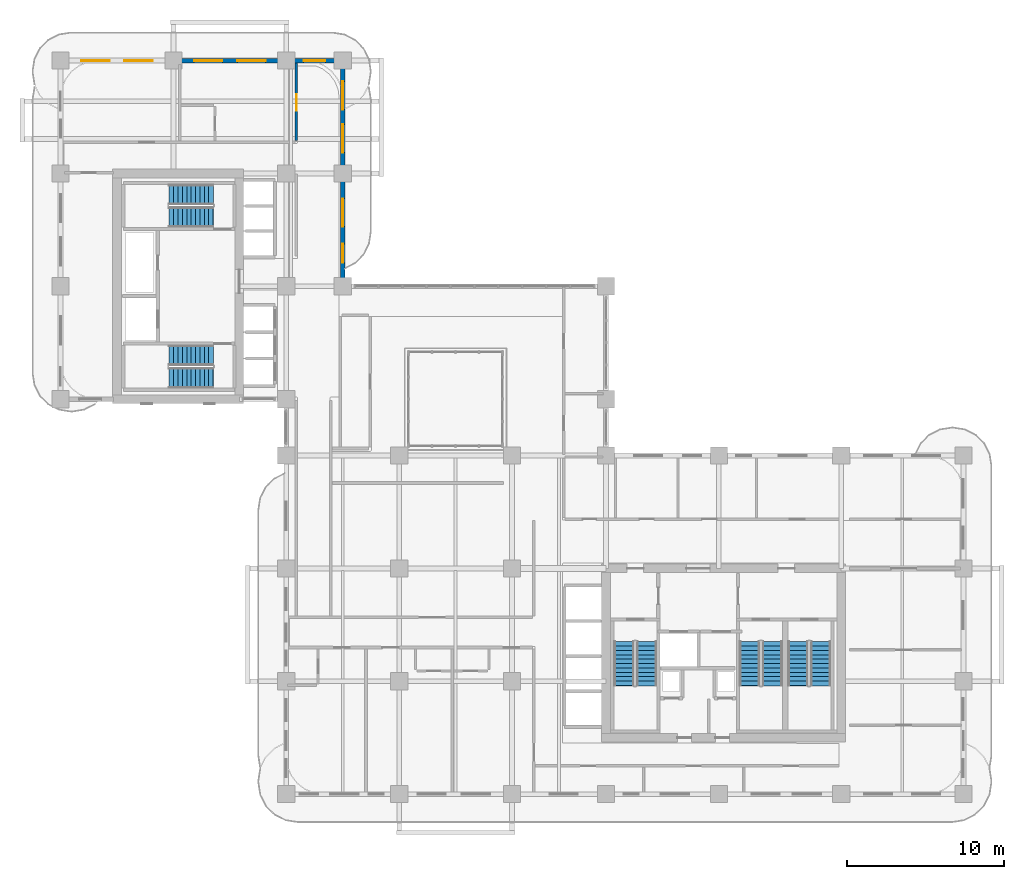
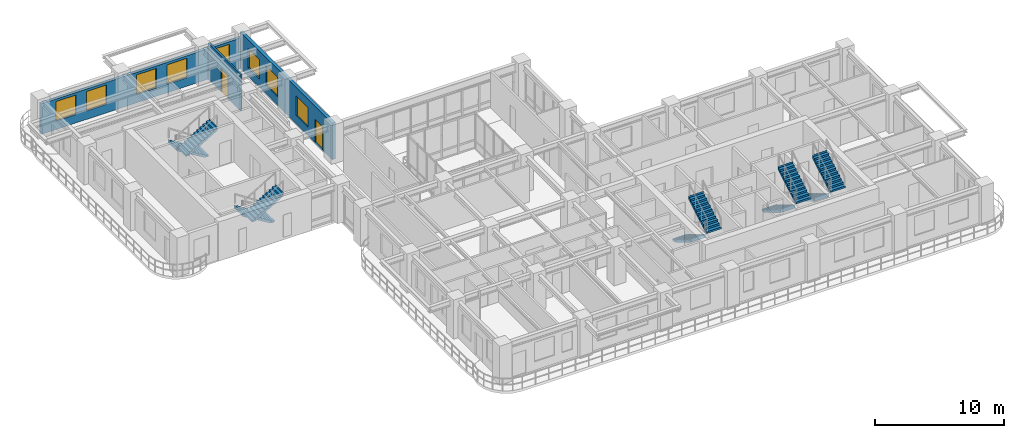
# One storey, part 17 of 22: 10 stair flights, 8 windows, 3 walls, 2 doors, 10 openings, 5 elements without a shape of their own.
"""IFC4 building model written with IfcOpenShell, lengths in metres."""

from ifc_helpers import new_model, si_unit, derived_unit, direction, frame, frame_2d, origin, place, context, subcontext, project, spatial, polyline, rectangle, outline, extrude, source, transform, mapped, material, layer, layer_set, type_object, type_shapes, element, fill, aggregate, save


model = new_model("IFC4")

# Units and contexts
model_context = context("Model", 3, precision=1e-05, world=origin(), true_north=direction((0.0, 1.0)))
body_context = subcontext(model_context, "Body", "Model", "MODEL_VIEW")
ifc_project = project(units=[si_unit("LENGTHUNIT", "METRE"), si_unit("AREAUNIT", "SQUARE_METRE"), si_unit("VOLUMEUNIT", "CUBIC_METRE"), si_unit("PLANEANGLEUNIT", "RADIAN"), si_unit("MASSUNIT", "GRAM", prefix="KILO"), si_unit("THERMODYNAMICTEMPERATUREUNIT", "KELVIN"), si_unit("POWERUNIT", "WATT"), derived_unit("THERMALTRANSMITTANCEUNIT", [(si_unit("POWERUNIT", "WATT"), 1), (si_unit("AREAUNIT", "SQUARE_METRE"), -1), (si_unit("THERMODYNAMICTEMPERATUREUNIT", "KELVIN"), -1)])], contexts=[model_context])

# Site, building, storey
site_placement = place(None, origin())
site = spatial("IfcSite", under=ifc_project, at=site_placement, CompositionType="ELEMENT")
building_placement = place(site_placement, origin())
building = spatial("IfcBuilding", under=site, at=building_placement, Name="Zahravan Archway Hotel and Residences", CompositionType="ELEMENT")
storey_placement = place(building_placement, frame((0.0, 0.0, 73.10009765625)))
storey = spatial("IfcBuildingStorey", under=building, at=storey_placement, Name="L17", CompositionType="ELEMENT", Elevation=73.10009765625)

# Wall, openings, windows
ifc_material_1 = material(Name="Honed Red-Ochre Sandstone & Insulated Block", Category="masonry")
ifc_layer_1 = layer(ifc_material_1, 0.280029296875, Name="Honed Red-Ochre Sandstone & Insulated Block", Category="masonry")
ifc_layer_set_1 = layer_set([ifc_layer_1], Name="Honed Red-Ochre Sandstone & Insulated Block")
wall_type_1 = type_object("IfcWallType", Name="EW-LOG-280", PredefinedType="SOLIDWALL", material=ifc_layer_set_1)
wall_1_placement = place(storey_placement, frame((0.0, 46.800048828125, 0.0), z_axis=(0.0, 0.0, 1.0), x_axis=(1.0, 0.0, 0.0)))
wall_1 = element("IfcWall", 1, at=wall_1_placement, inside=storey, type_object=wall_type_1, Name="L17 Exterior Sandstone Wall WB-N", PredefinedType="SOLIDWALL", context=body_context, shape_type="SweptSolid", body=[
    extrude(rectangle(XDim=18.0, YDim=0.280029296875, at=frame_2d((9.0, 0.0))), origin(), (0.0, 0.0, 1.0), 2.885009765625),
])
opening_1_placement = place(wall_1_placement, frame((1.324951171875, 0.0, 0.800048828125)))
opening_1 = element("IfcOpeningElement", 2, at=opening_1_placement, cuts=wall_1, Name="Opening W-02", PredefinedType="OPENING", context=body_context, shape_type="SweptSolid", body=[
    extrude(rectangle(XDim=1.800048828125, YDim=1.85009765625, at=frame_2d((0.89990234375, 0.925048828125))), frame((0.0, 0.14990234375, 0.0), z_axis=(0.0, -1.0, 0.0), x_axis=(1.0, 0.0, 0.0)), (0.0, 0.0, 1.0), 0.300048828125),
])
opening_2_placement = place(wall_1_placement, frame((4.074951171875, 0.0, 0.800048828125)))
opening_2 = element("IfcOpeningElement", 3, at=opening_2_placement, cuts=wall_1, Name="Opening W-02", PredefinedType="OPENING", context=body_context, shape_type="SweptSolid", body=[
    extrude(rectangle(XDim=1.800048828125, YDim=1.85009765625, at=frame_2d((0.89990234375, 0.925048828125))), frame((0.0, 0.14990234375, 0.0), z_axis=(0.0, -1.0, 0.0), x_axis=(1.0, 0.0, 0.0)), (0.0, 0.0, 1.0), 0.300048828125),
])
opening_3_placement = place(wall_1_placement, frame((8.52490234375, 0.0, 0.800048828125)))
opening_3 = element("IfcOpeningElement", 4, at=opening_3_placement, cuts=wall_1, Name="Opening W-02", PredefinedType="OPENING", context=body_context, shape_type="SweptSolid", body=[
    extrude(rectangle(XDim=1.800048828125, YDim=1.85009765625, at=frame_2d((0.89990234375, 0.925048828125))), frame((0.0, 0.14990234375, 0.0), z_axis=(0.0, -1.0, 0.0), x_axis=(1.0, 0.0, 0.0)), (0.0, 0.0, 1.0), 0.300048828125),
])
opening_4_placement = place(wall_1_placement, frame((11.27490234375, 0.0, 0.800048828125)))
opening_4 = element("IfcOpeningElement", 5, at=opening_4_placement, cuts=wall_1, Name="Opening W-02", PredefinedType="OPENING", context=body_context, shape_type="SweptSolid", body=[
    extrude(rectangle(XDim=1.800048828125, YDim=1.85009765625, at=frame_2d((0.89990234375, 0.925048828125))), frame((0.0, 0.14990234375, 0.0), z_axis=(0.0, -1.0, 0.0), x_axis=(1.0, 0.0, 0.0)), (0.0, 0.0, 1.0), 0.300048828125),
])
opening_5_placement = place(wall_1_placement, frame((15.5, 0.0, 0.800048828125)))
opening_5 = element("IfcOpeningElement", 6, at=opening_5_placement, cuts=wall_1, Name="Opening W-03", PredefinedType="OPENING", context=body_context, shape_type="SweptSolid", body=[
    extrude(rectangle(XDim=1.39990234375, YDim=1.85009765625, at=frame_2d((0.699951171875, 0.925048828125))), frame((0.0, 0.14990234375, 0.0), z_axis=(0.0, -1.0, 0.0), x_axis=(1.0, 0.0, 0.0)), (0.0, 0.0, 1.0), 0.300048828125),
])
ifc_material_2 = material(Name="Bronze-Anodized Thermal-Break Aluminium & Low-E Glass", Category="aluminium")
window_type_1 = type_object("IfcWindowType", Name="WIN-TWR-1400", PartitioningType="SINGLE_PANEL", PredefinedType="WINDOW", material=ifc_material_2)
shared_shape_1 = source(origin(), body_context, "Body", "SweptSolid", [
    extrude(rectangle(XDim=1.39990234375, YDim=1.85009765625, at=frame_2d((0.699951171875, 0.925048828125))), frame((0.0, 0.030029296875, 0.0), z_axis=(0.0, -1.0, 0.0), x_axis=(1.0, 0.0, 0.0)), (0.0, 0.0, 1.0), 0.06005859375),
])
type_shapes(window_type_1, [shared_shape_1])
window_1_placement = place(opening_5_placement, origin())
window_1 = element("IfcWindow", 7, at=window_1_placement, inside=storey, type_object=window_type_1, Name="L17 Loggia Window 38", OverallHeight=1.85009765625, OverallWidth=1.39990234375, PartitioningType="SINGLE_PANEL", PredefinedType="WINDOW", context=body_context, shape_type="MappedRepresentation", body=[
    mapped(shared_shape_1, transform((0.0, 0.0, 0.0), scale=1.0)),
])
fill(opening_5, window_1)
window_type_2 = type_object("IfcWindowType", Name="WIN-TWR-1800", PartitioningType="DOUBLE_PANEL_VERTICAL", PredefinedType="WINDOW", material=ifc_material_2)
shared_shape_2 = source(origin(), body_context, "Body", "SweptSolid", [
    extrude(rectangle(XDim=1.800048828125, YDim=1.85009765625, at=frame_2d((0.89990234375, 0.925048828125))), frame((0.0, 0.030029296875, 0.0), z_axis=(0.0, -1.0, 0.0), x_axis=(1.0, 0.0, 0.0)), (0.0, 0.0, 1.0), 0.06005859375),
])
type_shapes(window_type_2, [shared_shape_2])
window_2_placement = place(opening_1_placement, origin())
window_2 = element("IfcWindow", 8, at=window_2_placement, inside=storey, type_object=window_type_2, Name="L17 Loggia Window 34", OverallHeight=1.85009765625, OverallWidth=1.800048828125, PartitioningType="DOUBLE_PANEL_VERTICAL", PredefinedType="WINDOW", context=body_context, shape_type="MappedRepresentation", body=[
    mapped(shared_shape_2, transform((0.0, 0.0, 0.0), scale=1.0)),
])
fill(opening_1, window_2)
window_3_placement = place(opening_2_placement, origin())
window_3 = element("IfcWindow", 9, at=window_3_placement, inside=storey, type_object=window_type_2, Name="L17 Loggia Window 35", OverallHeight=1.85009765625, OverallWidth=1.800048828125, PartitioningType="DOUBLE_PANEL_VERTICAL", PredefinedType="WINDOW", context=body_context, shape_type="MappedRepresentation", body=[
    mapped(shared_shape_2, transform((0.0, 0.0, 0.0), scale=1.0)),
])
fill(opening_2, window_3)
window_4_placement = place(opening_3_placement, origin())
window_4 = element("IfcWindow", 10, at=window_4_placement, inside=storey, type_object=window_type_2, Name="L17 Loggia Window 36", OverallHeight=1.85009765625, OverallWidth=1.800048828125, PartitioningType="DOUBLE_PANEL_VERTICAL", PredefinedType="WINDOW", context=body_context, shape_type="MappedRepresentation", body=[
    mapped(shared_shape_2, transform((0.0, 0.0, 0.0), scale=1.0)),
])
fill(opening_3, window_4)
window_5_placement = place(opening_4_placement, origin())
window_5 = element("IfcWindow", 11, at=window_5_placement, inside=storey, type_object=window_type_2, Name="L17 Loggia Window 37", OverallHeight=1.85009765625, OverallWidth=1.800048828125, PartitioningType="DOUBLE_PANEL_VERTICAL", PredefinedType="WINDOW", context=body_context, shape_type="MappedRepresentation", body=[
    mapped(shared_shape_2, transform((0.0, 0.0, 0.0), scale=1.0)),
])
fill(opening_4, window_5)

# Wall, openings, door, windows
wall_2_placement = place(storey_placement, frame((18.0, 32.39990234375, 0.0), z_axis=(0.0, 0.0, 1.0), x_axis=(0.0, 1.0, 0.0)))
wall_2 = element("IfcWall", 12, at=wall_2_placement, inside=storey, type_object=wall_type_1, Name="L17 Exterior Sandstone Wall WB-EU", PredefinedType="SOLIDWALL", context=body_context, shape_type="SweptSolid", body=[
    extrude(rectangle(XDim=14.35009765625, YDim=0.280029296875, at=frame_2d((7.175048828125, 0.0))), origin(), (0.0, 0.0, 1.0), 3.449951171875),
])
opening_6_placement = place(wall_2_placement, frame((1.5, 0.0, 0.0)))
opening_6 = element("IfcOpeningElement", 13, at=opening_6_placement, cuts=wall_2, Name="Opening ED-BL1", PredefinedType="OPENING", context=body_context, shape_type="SweptSolid", body=[
    extrude(rectangle(XDim=1.199951171875, YDim=2.199951171875, at=frame_2d((0.60009765625, 1.10009765625))), frame((0.0, 0.14990234375, 0.0), z_axis=(0.0, -1.0, 0.0), x_axis=(1.0, 0.0, 0.0)), (0.0, 0.0, 1.0), 0.300048828125),
])
opening_7_placement = place(wall_2_placement, frame((3.800048828125, 0.0, 0.800048828125)))
opening_7 = element("IfcOpeningElement", 14, at=opening_7_placement, cuts=wall_2, Name="Opening W-02", PredefinedType="OPENING", context=body_context, shape_type="SweptSolid", body=[
    extrude(rectangle(XDim=1.800048828125, YDim=1.85009765625, at=frame_2d((0.89990234375, 0.925048828125))), frame((0.0, 0.14990234375, 0.0), z_axis=(0.0, -1.0, 0.0), x_axis=(1.0, 0.0, 0.0)), (0.0, 0.0, 1.0), 0.300048828125),
])
opening_8_placement = place(wall_2_placement, frame((8.52490234375, 0.0, 0.800048828125)))
opening_8 = element("IfcOpeningElement", 15, at=opening_8_placement, cuts=wall_2, Name="Opening W-02", PredefinedType="OPENING", context=body_context, shape_type="SweptSolid", body=[
    extrude(rectangle(XDim=1.800048828125, YDim=1.85009765625, at=frame_2d((0.89990234375, 0.925048828125))), frame((0.0, 0.14990234375, 0.0), z_axis=(0.0, -1.0, 0.0), x_axis=(1.0, 0.0, 0.0)), (0.0, 0.0, 1.0), 0.300048828125),
])
opening_9_placement = place(wall_2_placement, frame((11.27490234375, 0.0, 0.800048828125)))
opening_9 = element("IfcOpeningElement", 16, at=opening_9_placement, cuts=wall_2, Name="Opening W-02", PredefinedType="OPENING", context=body_context, shape_type="SweptSolid", body=[
    extrude(rectangle(XDim=1.800048828125, YDim=1.85009765625, at=frame_2d((0.89990234375, 0.925048828125))), frame((0.0, 0.14990234375, 0.0), z_axis=(0.0, -1.0, 0.0), x_axis=(1.0, 0.0, 0.0)), (0.0, 0.0, 1.0), 0.300048828125),
])
ifc_material_3 = material(Name="Bronze-Anodized Glazed Aluminium", Category="aluminium")
door_type_1 = type_object("IfcDoorType", Name="ED-BALC-1200", OperationType="SLIDING_TO_LEFT", PredefinedType="DOOR", material=ifc_material_3)
shared_shape_3 = source(origin(), body_context, "Body", "SweptSolid", [
    extrude(rectangle(XDim=1.199951171875, YDim=2.199951171875, at=frame_2d((0.60009765625, 1.10009765625))), frame((0.0, 0.02490234375, 0.0), z_axis=(0.0, -1.0, 0.0), x_axis=(1.0, 0.0, 0.0)), (0.0, 0.0, 1.0), 0.050048828125),
])
type_shapes(door_type_1, [shared_shape_3])
door_1_placement = place(opening_6_placement, origin())
door_1 = element("IfcDoor", 17, at=door_1_placement, inside=storey, type_object=door_type_1, Name="L17 Outdoor Access Sliding Door (SLB-BAL-L17-EB)", OperationType="SLIDING_TO_LEFT", OverallHeight=2.199951171875, OverallWidth=1.199951171875, PredefinedType="DOOR", context=body_context, shape_type="MappedRepresentation", body=[
    mapped(shared_shape_3, transform((0.0, 0.0, 0.0), scale=1.0)),
])
fill(opening_6, door_1)
window_6_placement = place(opening_7_placement, origin())
window_6 = element("IfcWindow", 18, at=window_6_placement, inside=storey, type_object=window_type_2, Name="L17 Loggia Window 39", OverallHeight=1.85009765625, OverallWidth=1.800048828125, PartitioningType="DOUBLE_PANEL_VERTICAL", PredefinedType="WINDOW", context=body_context, shape_type="MappedRepresentation", body=[
    mapped(shared_shape_2, transform((0.0, 0.0, 0.0), scale=1.0)),
])
fill(opening_7, window_6)
window_7_placement = place(opening_8_placement, origin())
window_7 = element("IfcWindow", 19, at=window_7_placement, inside=storey, type_object=window_type_2, Name="L17 Loggia Window 40", OverallHeight=1.85009765625, OverallWidth=1.800048828125, PartitioningType="DOUBLE_PANEL_VERTICAL", PredefinedType="WINDOW", context=body_context, shape_type="MappedRepresentation", body=[
    mapped(shared_shape_2, transform((0.0, 0.0, 0.0), scale=1.0)),
])
fill(opening_8, window_7)
window_8_placement = place(opening_9_placement, origin())
window_8 = element("IfcWindow", 20, at=window_8_placement, inside=storey, type_object=window_type_2, Name="L17 Loggia Window 41", OverallHeight=1.85009765625, OverallWidth=1.800048828125, PartitioningType="DOUBLE_PANEL_VERTICAL", PredefinedType="WINDOW", context=body_context, shape_type="MappedRepresentation", body=[
    mapped(shared_shape_2, transform((0.0, 0.0, 0.0), scale=1.0)),
])
fill(opening_9, window_8)

# Wall, opening, door
ifc_material_4 = material(Name="Fire-Rated Gypsum & Concrete Block", Category="concrete")
ifc_layer_2 = layer(ifc_material_4, 0.159912109375, Name="Fire-Rated Gypsum & Concrete Block", Category="concrete")
ifc_layer_set_2 = layer_set([ifc_layer_2], Name="Fire-Rated Gypsum & Concrete Block")
wall_type_2 = type_object("IfcWallType", Name="PW-CORR-160", PredefinedType="PARTITIONING", material=ifc_layer_set_2)
wall_3_placement = place(storey_placement, frame((15.050048828125, 41.68994140625, 0.0), z_axis=(0.0, 0.0, 1.0), x_axis=(0.0, 1.0, 0.0)))
wall_3 = element("IfcWall", 21, at=wall_3_placement, inside=storey, type_object=wall_type_2, Name="L17 Partition WBN-CU", PredefinedType="PARTITIONING", context=body_context, shape_type="SweptSolid", body=[
    extrude(rectangle(XDim=4.962158203125, YDim=0.159912109375, at=frame_2d((2.48095703125, 0.0))), origin(), (0.0, 0.0, 1.0), 3.449951171875),
])
opening_10_placement = place(wall_3_placement, frame((1.909912109375, 0.0, 0.0)))
opening_10 = element("IfcOpeningElement", 22, at=opening_10_placement, cuts=wall_3, Name="Opening D-U1", PredefinedType="OPENING", context=body_context, shape_type="SweptSolid", body=[
    extrude(rectangle(XDim=1.050048828125, YDim=2.25, at=frame_2d((0.52490234375, 1.125))), frame((0.0, 0.08984375, 0.0), z_axis=(0.0, -1.0, 0.0), x_axis=(1.0, 0.0, 0.0)), (0.0, 0.0, 1.0), 0.179931640625),
])
ifc_material_5 = material(Name="Hardwood Veneer Timber", Category="wood")
door_type_2 = type_object("IfcDoorType", Name="ID-UNIT-1050", OperationType="NOTDEFINED", PredefinedType="DOOR", material=ifc_material_5)
shared_shape_4 = source(origin(), body_context, "Body", "SweptSolid", [
    extrude(rectangle(XDim=1.050048828125, YDim=2.25, at=frame_2d((0.52490234375, 1.125))), frame((0.0, 0.02490234375, 0.0), z_axis=(0.0, -1.0, 0.0), x_axis=(1.0, 0.0, 0.0)), (0.0, 0.0, 1.0), 0.050048828125),
])
type_shapes(door_type_2, [shared_shape_4])
door_2_placement = place(opening_10_placement, origin())
door_2 = element("IfcDoor", 23, at=door_2_placement, inside=storey, type_object=door_type_2, Name="L17 Hotel Guestroom 78 Entrance Door", OperationType="SINGLE_SWING_LEFT", OverallHeight=2.25, OverallWidth=1.050048828125, PredefinedType="DOOR", context=body_context, shape_type="MappedRepresentation", body=[
    mapped(shared_shape_4, transform((0.0, 0.0, 0.0), scale=1.0)),
])
fill(opening_10, door_2)

# Stair, stair flights
ifc_material_6 = material(Name="Concrete C50/60", Category="concrete")
stair_type = type_object("IfcStairType", Name="STR-CORE-1300", PredefinedType="HALF_TURN_STAIR", material=ifc_material_6)
stair_1_placement = place(storey_placement, origin())
stair_1 = element("IfcStair", 24, at=stair_1_placement, inside=storey, type_object=stair_type, Name="L17 Core A Exit Stair 1", PredefinedType="HALF_TURN_STAIR")
ifc_layer_3 = layer(ifc_material_6, 0.199951171875, Name="Concrete C50/60", Category="concrete")
ifc_layer_set_3 = layer_set([ifc_layer_3], Name="Concrete C50/60")
stair_flight_type = type_object("IfcStairFlightType", Name="SFL-CORE-1300", PredefinedType="STRAIGHT", material=ifc_layer_set_3)
shared_shape_5 = source(origin(), body_context, "Body", "SweptSolid", [
    extrude(outline(polyline([(-0.01611328125, 0.0), (-0.01611328125, 0.168212890625), (0.280029296875, 0.168212890625), (0.280029296875, 0.33642578125), (0.56005859375, 0.33642578125), (0.56005859375, 0.504638671875), (0.840087890625, 0.504638671875), (0.840087890625, 0.672607421875), (1.1201171875, 0.672607421875), (1.1201171875, 0.8408203125), (1.39990234375, 0.8408203125), (1.39990234375, 1.009033203125), (1.679931640625, 1.009033203125), (1.679931640625, 1.17724609375), (1.9599609375, 1.17724609375), (1.9599609375, 1.345458984375), (2.239990234375, 1.345458984375), (2.239990234375, 1.513671875), (2.52001953125, 1.513671875), (2.52001953125, 1.681884765625), (2.800048828125, 1.681884765625), (2.800048828125, 1.85009765625), (2.816162109375, 1.85009765625), (2.816162109375, 1.5068359375), (0.291015625, 0.0), (-0.01611328125, 0.0)])), frame((0.0, 0.64990234375, 0.0), z_axis=(0.0, -1.0, 0.0), x_axis=(1.0, 0.0, 0.0)), (0.0, 0.0, 1.0), 1.300048828125),
])
stair_flight_1_placement = place(storey_placement, frame((35.949951171875, 9.72998046875, 0.0), z_axis=(0.0, 0.0, 1.0), x_axis=(0.0, -1.0, 0.0)))
stair_flight_1 = element("IfcStairFlight", 25, at=stair_flight_1_placement, type_object=stair_flight_type, Name="ST-A1 flight 1", NumberOfRisers=11, NumberOfTreads=10, PredefinedType="STRAIGHT", RiserHeight=0.168181818, TreadLength=0.28, context=body_context, shape_type="MappedRepresentation", body=[
    mapped(shared_shape_5, transform((0.0, 0.0, 0.0), scale=1.0)),
])
stair_flight_2_placement = place(storey_placement, frame((37.389892578125, 6.929931640625, 1.849853515625), z_axis=(0.0, 0.0, 1.0), x_axis=(0.0, 1.0, 0.0)))
stair_flight_2 = element("IfcStairFlight", 26, at=stair_flight_2_placement, type_object=stair_flight_type, Name="ST-A1 flight 2", NumberOfRisers=11, NumberOfTreads=10, PredefinedType="STRAIGHT", RiserHeight=0.168181818, TreadLength=0.28, context=body_context, shape_type="MappedRepresentation", body=[
    mapped(shared_shape_5, transform((0.0, 0.0, 0.0), scale=1.0)),
])
aggregate(stair_1, [stair_flight_1, stair_flight_2])

stair_2_placement = place(storey_placement, origin())
stair_2 = element("IfcStair", 27, at=stair_2_placement, inside=storey, type_object=stair_type, Name="L17 Core A Exit Stair 2", PredefinedType="HALF_TURN_STAIR")
stair_flight_3_placement = place(storey_placement, frame((43.969970703125, 9.72998046875, 0.0), z_axis=(0.0, 0.0, 1.0), x_axis=(0.0, -1.0, 0.0)))
stair_flight_3 = element("IfcStairFlight", 28, at=stair_flight_3_placement, type_object=stair_flight_type, Name="ST-A2 flight 1", NumberOfRisers=11, NumberOfTreads=10, PredefinedType="STRAIGHT", RiserHeight=0.168181818, TreadLength=0.28, context=body_context, shape_type="MappedRepresentation", body=[
    mapped(shared_shape_5, transform((0.0, 0.0, 0.0), scale=1.0)),
])
stair_flight_4_placement = place(storey_placement, frame((45.409912109375, 6.929931640625, 1.849853515625), z_axis=(0.0, 0.0, 1.0), x_axis=(0.0, 1.0, 0.0)))
stair_flight_4 = element("IfcStairFlight", 29, at=stair_flight_4_placement, type_object=stair_flight_type, Name="ST-A2 flight 2", NumberOfRisers=11, NumberOfTreads=10, PredefinedType="STRAIGHT", RiserHeight=0.168181818, TreadLength=0.28, context=body_context, shape_type="MappedRepresentation", body=[
    mapped(shared_shape_5, transform((0.0, 0.0, 0.0), scale=1.0)),
])
aggregate(stair_2, [stair_flight_3, stair_flight_4])

stair_3_placement = place(storey_placement, origin())
stair_3 = element("IfcStair", 30, at=stair_3_placement, inside=storey, type_object=stair_type, Name="L17 Core A Exit Stair 3", PredefinedType="HALF_TURN_STAIR")
stair_flight_5_placement = place(storey_placement, frame((47.050048828125, 9.72998046875, 0.0), z_axis=(0.0, 0.0, 1.0), x_axis=(0.0, -1.0, 0.0)))
stair_flight_5 = element("IfcStairFlight", 31, at=stair_flight_5_placement, type_object=stair_flight_type, Name="ST-A3 flight 1", NumberOfRisers=11, NumberOfTreads=10, PredefinedType="STRAIGHT", RiserHeight=0.168181818, TreadLength=0.28, context=body_context, shape_type="MappedRepresentation", body=[
    mapped(shared_shape_5, transform((0.0, 0.0, 0.0), scale=1.0)),
])
stair_flight_6_placement = place(storey_placement, frame((48.489990234375, 6.929931640625, 1.849853515625), z_axis=(0.0, 0.0, 1.0), x_axis=(0.0, 1.0, 0.0)))
stair_flight_6 = element("IfcStairFlight", 32, at=stair_flight_6_placement, type_object=stair_flight_type, Name="ST-A3 flight 2", NumberOfRisers=11, NumberOfTreads=10, PredefinedType="STRAIGHT", RiserHeight=0.168181818, TreadLength=0.28, context=body_context, shape_type="MappedRepresentation", body=[
    mapped(shared_shape_5, transform((0.0, 0.0, 0.0), scale=1.0)),
])
aggregate(stair_3, [stair_flight_5, stair_flight_6])

stair_4_placement = place(storey_placement, origin())
stair_4 = element("IfcStair", 33, at=stair_4_placement, inside=storey, type_object=stair_type, Name="L17 Core B Exit Stair 1", PredefinedType="HALF_TURN_STAIR")
stair_flight_7_placement = place(storey_placement, frame((9.72998046875, 27.989990234375, 0.0), z_axis=(0.0, 0.0, 1.0), x_axis=(-1.0, 0.0, 0.0)))
stair_flight_7 = element("IfcStairFlight", 34, at=stair_flight_7_placement, type_object=stair_flight_type, Name="ST-B1 flight 1", NumberOfRisers=11, NumberOfTreads=10, PredefinedType="STRAIGHT", RiserHeight=0.168181818, TreadLength=0.28, context=body_context, shape_type="MappedRepresentation", body=[
    mapped(shared_shape_5, transform((0.0, 0.0, 0.0), scale=1.0)),
])
stair_flight_8_placement = place(storey_placement, frame((6.929931640625, 26.550048828125, 1.849853515625), z_axis=(0.0, 0.0, 1.0), x_axis=(1.0, 0.0, 0.0)))
stair_flight_8 = element("IfcStairFlight", 35, at=stair_flight_8_placement, type_object=stair_flight_type, Name="ST-B1 flight 2", NumberOfRisers=11, NumberOfTreads=10, PredefinedType="STRAIGHT", RiserHeight=0.168181818, TreadLength=0.28, context=body_context, shape_type="MappedRepresentation", body=[
    mapped(shared_shape_5, transform((0.0, 0.0, 0.0), scale=1.0)),
])
aggregate(stair_4, [stair_flight_7, stair_flight_8])

stair_5_placement = place(storey_placement, origin())
stair_5 = element("IfcStair", 36, at=stair_5_placement, inside=storey, type_object=stair_type, Name="L17 Core B Exit Stair 2", PredefinedType="HALF_TURN_STAIR")
stair_flight_9_placement = place(storey_placement, frame((9.72998046875, 38.25, 0.0), z_axis=(0.0, 0.0, 1.0), x_axis=(-1.0, 0.0, 0.0)))
stair_flight_9 = element("IfcStairFlight", 37, at=stair_flight_9_placement, type_object=stair_flight_type, Name="ST-B2 flight 1", NumberOfRisers=11, NumberOfTreads=10, PredefinedType="STRAIGHT", RiserHeight=0.168181818, TreadLength=0.28, context=body_context, shape_type="MappedRepresentation", body=[
    mapped(shared_shape_5, transform((0.0, 0.0, 0.0), scale=1.0)),
])
stair_flight_10_placement = place(storey_placement, frame((6.929931640625, 36.81005859375, 1.849853515625), z_axis=(0.0, 0.0, 1.0), x_axis=(1.0, 0.0, 0.0)))
stair_flight_10 = element("IfcStairFlight", 38, at=stair_flight_10_placement, type_object=stair_flight_type, Name="ST-B2 flight 2", NumberOfRisers=11, NumberOfTreads=10, PredefinedType="STRAIGHT", RiserHeight=0.168181818, TreadLength=0.28, context=body_context, shape_type="MappedRepresentation", body=[
    mapped(shared_shape_5, transform((0.0, 0.0, 0.0), scale=1.0)),
])
aggregate(stair_5, [stair_flight_9, stair_flight_10])

save(model, "model.ifc")
